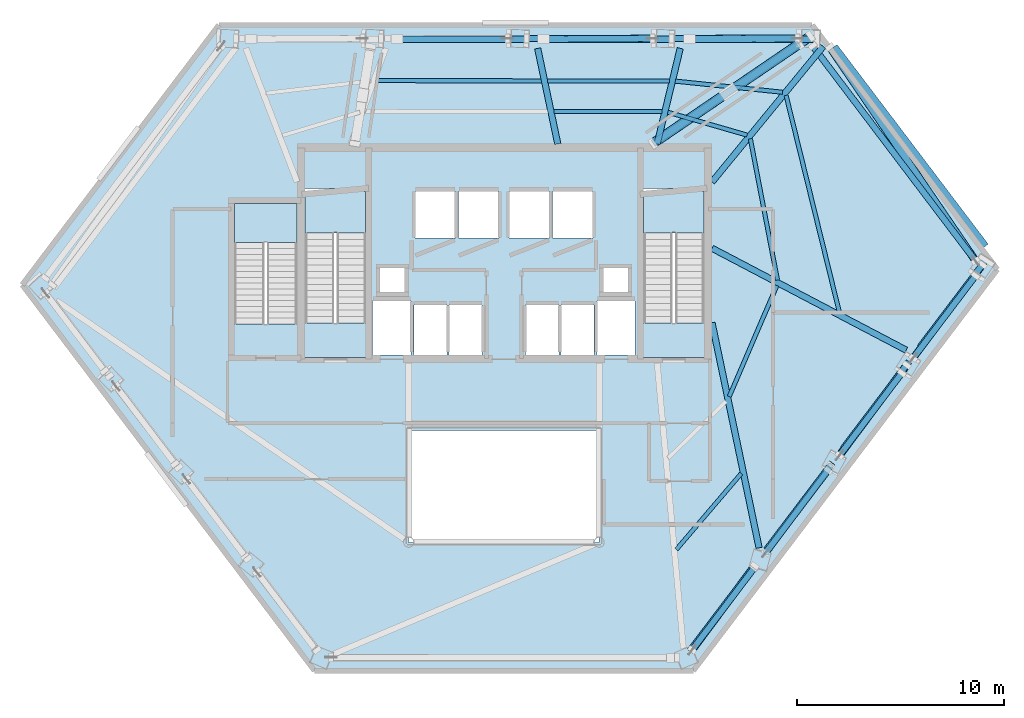
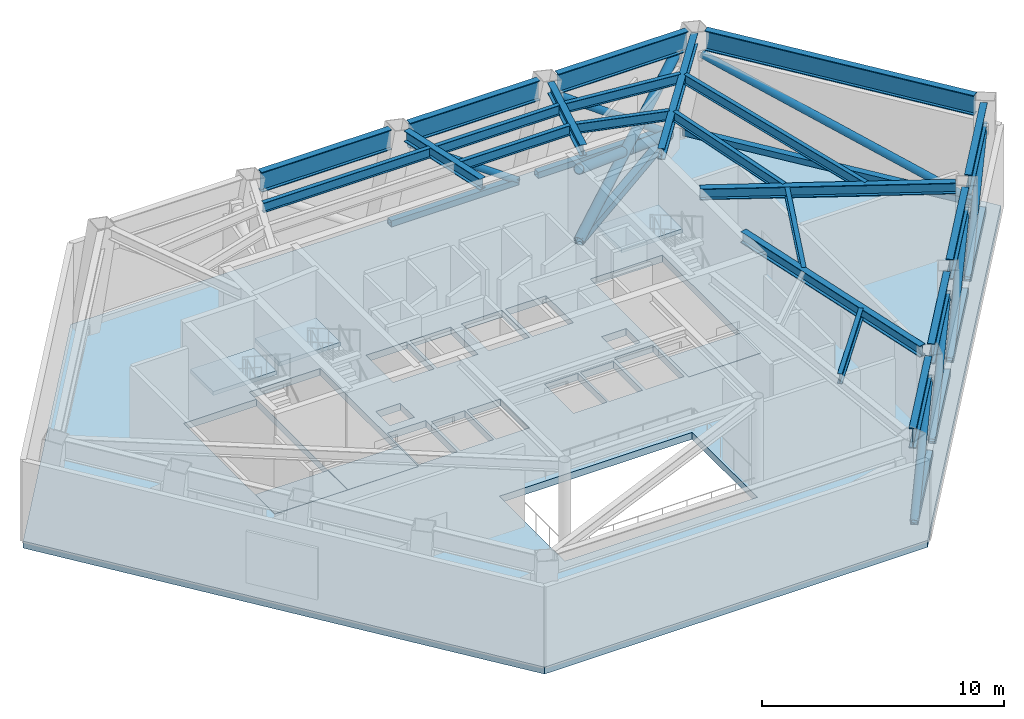
# One storey, part 2 of 9: 22 beams, 18 members, 7 slabs, 3 elements without a shape of their own.
"""IFC4 building model written with IfcOpenShell, lengths in metres."""

import ifcopenshell
import ifcopenshell.guid

model = None  # the IFC model being written
_history = None  # IfcOwnerHistory: only IFC2X3 demands one
_inside = {}  # id of a spatial element -> (the spatial element, [elements in it])
_under = {}  # id of a project, library or spatial element -> (it, [spatial elements below it])
_declared = {}  # id of a project -> (the project, [libraries it declares])
_typed = {}  # id of a type object -> (the type object, [elements of that type])
_made_of = {}  # id of a material, layer set ... -> (it, [elements and type objects made of it])


def new_model(schema):
    """Start an empty IFC model of exactly this schema.

    Asked for "IFC4X3", IfcOpenShell would pick the latest addendum, in which some entities
    have other attributes; the version numbers below select the first issue.
    IFC2X3 requires an IfcOwnerHistory on every rooted entity: one is made here for all.
    """
    global model, _history
    if schema == "IFC4X3":
        model = ifcopenshell.file(schema_version=(4, 3, 0, 0))
    else:
        model = ifcopenshell.file(schema=schema)
    _inside.clear()
    _under.clear()
    _declared.clear()
    _typed.clear()
    _made_of.clear()
    _history = None
    if model.schema == "IFC2X3":
        org = make("IfcOrganization", Name="unknown")
        user = make(
            "IfcPersonAndOrganization",
            ThePerson=make("IfcPerson", FamilyName="unknown"),
            TheOrganization=org,
        )
        app = make(
            "IfcApplication",
            ApplicationDeveloper=org,
            Version="unknown",
            ApplicationFullName="unknown",
            ApplicationIdentifier="unknown",
        )
        _history = make(
            "IfcOwnerHistory",
            OwningUser=user,
            OwningApplication=app,
            ChangeAction="ADDED",
            CreationDate=0,
        )
    return model


def make(cls, **values):
    """One entity of the class cls with the attributes given. An attribute that is None is left unset."""
    return model.create_entity(
        cls, **{name: value for name, value in values.items() if value is not None}
    )


def rooted(cls, **values):
    """An entity with a GlobalId (a new one), such as an element, a storey or a relation."""
    return make(cls, GlobalId=ifcopenshell.guid.new(), OwnerHistory=_history, **values)


def si_unit(unit_type, name, prefix=None):
    """IfcSIUnit, for example si_unit("LENGTHUNIT", "METRE", prefix="MILLI")."""
    return make("IfcSIUnit", UnitType=unit_type, Prefix=prefix, Name=name)


def assignment(units):
    """IfcUnitAssignment: the units of a project."""
    return None if units is None else make("IfcUnitAssignment", Units=units)


def point(xyz):
    """IfcCartesianPoint."""
    return None if xyz is None else make("IfcCartesianPoint", Coordinates=xyz)


def direction(xyz):
    """IfcDirection."""
    return None if xyz is None else make("IfcDirection", DirectionRatios=xyz)


def frame(location, z_axis=None, x_axis=None):
    """IfcAxis2Placement3D, a coordinate frame: its origin and axes. An axis left out is left unset."""
    return make(
        "IfcAxis2Placement3D",
        Location=point(location),
        Axis=direction(z_axis),
        RefDirection=direction(x_axis),
    )


def frame_2d(location, x_axis=None):
    """IfcAxis2Placement2D, a coordinate frame in the plane: its origin and x axis."""
    return make(
        "IfcAxis2Placement2D", Location=point(location), RefDirection=direction(x_axis)
    )


def origin():
    """The frame at (0, 0, 0) with its axes left unset."""
    return frame((0.0, 0.0, 0.0))


def origin_2d():
    """The frame at (0, 0) in the plane with its x axis left unset."""
    return frame_2d((0.0, 0.0))


def place(relative_to, where):
    """IfcLocalPlacement: puts the frame where relative to a parent placement (None: the world)."""
    return make(
        "IfcLocalPlacement", PlacementRelTo=relative_to, RelativePlacement=where
    )


def context(
    kind, dimensions, precision=None, world=None, true_north=None, identifier=None
):
    """IfcGeometricRepresentationContext, for example the 3D "Model" context."""
    return make(
        "IfcGeometricRepresentationContext",
        ContextIdentifier=identifier,
        ContextType=kind,
        CoordinateSpaceDimension=dimensions,
        Precision=precision,
        WorldCoordinateSystem=world,
        TrueNorth=true_north,
    )


def subcontext(parent, identifier, kind, view, scale=None):
    """IfcGeometricRepresentationSubContext, for example "Body" below "Model"."""
    return make(
        "IfcGeometricRepresentationSubContext",
        ContextIdentifier=identifier,
        ContextType=kind,
        ParentContext=parent,
        TargetScale=scale,
        TargetView=view,
    )


def project(units=None, contexts=None):
    """IfcProject with its units and contexts."""
    return rooted(
        "IfcProject",
        Name="project",
        RepresentationContexts=contexts,
        UnitsInContext=assignment(units),
    )


def spatial(cls, under=None, at=None, **own):
    """A site, building, storey or space (cls), placed at a placement, below another one or the project."""
    s = rooted(cls, ObjectPlacement=at, **own)
    if under is not None:
        _under.setdefault(under.id(), (under, []))[1].append(s)
    return s


def polyline(points):
    """IfcPolyline through the points."""
    return make("IfcPolyline", Points=[point(p) for p in points])


def profile(cls, at=None, kind="AREA", **sizes):
    """A parametric profile (cls). Its sizes go by their IFC names, for example OverallWidth=200.0."""
    return make(cls, ProfileType=kind, Position=at, **sizes)


def hollow_rectangle(**sizes):
    """IfcRectangleHollowProfileDef."""
    return profile("IfcRectangleHollowProfileDef", **sizes)


def hollow_circle(**sizes):
    """IfcCircleHollowProfileDef."""
    return profile("IfcCircleHollowProfileDef", **sizes)


def i_section(**sizes):
    """IfcIShapeProfileDef."""
    return profile("IfcIShapeProfileDef", **sizes)


def outline(outer, holes=None, kind="AREA"):
    """IfcArbitraryClosedProfileDef: a profile drawn as a closed curve; with holes, ...WithVoids."""
    if holes is None:
        return make("IfcArbitraryClosedProfileDef", ProfileType=kind, OuterCurve=outer)
    return make(
        "IfcArbitraryProfileDefWithVoids",
        ProfileType=kind,
        OuterCurve=outer,
        InnerCurves=holes,
    )


def extrude(swept, where, along, depth):
    """IfcExtrudedAreaSolid: the profile swept, set in the frame where, extruded along a direction by depth."""
    return make(
        "IfcExtrudedAreaSolid",
        SweptArea=swept,
        Position=where,
        ExtrudedDirection=direction(along),
        Depth=depth,
    )


def shape(context_of_items, identifier, shape_type, items):
    """IfcShapeRepresentation: the items that make up one representation, for example the "Body"."""
    return make(
        "IfcShapeRepresentation",
        ContextOfItems=context_of_items,
        RepresentationIdentifier=identifier,
        RepresentationType=shape_type,
        Items=items,
    )


def material(Name=None, Category=None):
    """IfcMaterial."""
    return make("IfcMaterial", Name=Name, Category=Category)


def layer(
    of_material, thickness, ventilated=None, Name=None, Category=None, Priority=None
):
    """IfcMaterialLayer: one layer of a wall or slab, of a material (None: an air gap)."""
    return make(
        "IfcMaterialLayer",
        Material=of_material,
        LayerThickness=thickness,
        IsVentilated=ventilated,
        Name=Name,
        Category=Category,
        Priority=Priority,
    )


def layer_set(layers, Name=None):
    """IfcMaterialLayerSet."""
    return make("IfcMaterialLayerSet", MaterialLayers=layers, LayerSetName=Name)


def material_profile(
    of_material, cross_section, Name=None, Category=None, Priority=None
):
    """IfcMaterialProfile: a cross section and its material."""
    return make(
        "IfcMaterialProfile",
        Name=Name,
        Material=of_material,
        Profile=cross_section,
        Priority=Priority,
        Category=Category,
    )


def profile_set(profiles, Name=None, composite=None):
    """IfcMaterialProfileSet."""
    return make(
        "IfcMaterialProfileSet",
        Name=Name,
        MaterialProfiles=profiles,
        CompositeProfile=composite,
    )


def made_of(thing, what):
    """Note that an element or type object is made of a material, layer set ...; save() writes the relation."""
    if what is not None:
        _made_of.setdefault(what.id(), (what, []))[1].append(thing)
    return thing


def type_object(cls, material=None, **own):
    """A type object (cls), such as IfcWallType, which elements share."""
    return made_of(rooted(cls, **own), material)


def element(
    cls,
    number,
    at=None,
    inside=None,
    cuts=None,
    type_object=None,
    material=None,
    context=None,
    identifier="Body",
    shape_type=None,
    held_by="IfcProductDefinitionShape",
    body=None,
    shapes=None,
    **own,
):
    """One element of the class cls, such as IfcWall. Its Tag is "e" and its number.

    at: its placement. inside: the storey or other place that contains it. cuts: it is an
    opening in that element (IfcRelVoidsElement). A single representation is given by context,
    identifier, shape_type and body (its items); several are given by shapes. held_by: the class
    of the entity that holds the representations. save() writes the other relations.
    """
    e = rooted(cls, Tag="e%d" % number, ObjectPlacement=at, **own)
    if body is not None:
        shapes = [shape(context, identifier, shape_type, body)]
    if shapes is not None:
        e.Representation = make(held_by, Representations=shapes)
    if inside is not None:
        _inside.setdefault(inside.id(), (inside, []))[1].append(e)
    if cuts is not None:
        rooted(
            "IfcRelVoidsElement", RelatingBuildingElement=cuts, RelatedOpeningElement=e
        )
    if type_object is not None:
        _typed.setdefault(type_object.id(), (type_object, []))[1].append(e)
    return made_of(e, material)


def aggregate(whole, parts):
    """IfcRelAggregates: a whole, such as a stair, and the parts it consists of."""
    return rooted("IfcRelAggregates", RelatingObject=whole, RelatedObjects=parts)


def save(model, path):
    """Write the relations noted so far, then the file.

    IfcRelAggregates (storeys below a building ...), IfcRelContainedInSpatialStructure (elements
    in a storey), IfcRelDefinesByType, IfcRelAssociatesMaterial and IfcRelDeclares: one each for
    every whole, place, type object, material and project.
    """
    for whole, parts in _under.values():
        aggregate(whole, parts)
    for where, things in _inside.values():
        rooted(
            "IfcRelContainedInSpatialStructure",
            RelatedElements=things,
            RelatingStructure=where,
        )
    for kind, things in _typed.values():
        rooted("IfcRelDefinesByType", RelatedObjects=things, RelatingType=kind)
    for what, things in _made_of.values():
        rooted("IfcRelAssociatesMaterial", RelatedObjects=things, RelatingMaterial=what)
    for by, libraries in _declared.values():
        rooted("IfcRelDeclares", RelatingContext=by, RelatedDefinitions=libraries)
    model.write(path)


model = new_model("IFC4")

# Units and contexts
model_context = context("Model", 3, precision=1e-05, world=origin(), true_north=direction((0.0, 1.0)))
body_context = subcontext(model_context, "Body", "Model", "MODEL_VIEW")
ifc_project = project(units=[si_unit("LENGTHUNIT", "METRE"), si_unit("AREAUNIT", "SQUARE_METRE"), si_unit("VOLUMEUNIT", "CUBIC_METRE"), si_unit("PLANEANGLEUNIT", "RADIAN"), si_unit("MASSUNIT", "GRAM", prefix="KILO")], contexts=[model_context])

# Site, building, storey
site_placement = place(None, origin())
site = spatial("IfcSite", under=ifc_project, at=site_placement, CompositionType="ELEMENT")
building_placement = place(site_placement, origin())
building = spatial("IfcBuilding", under=site, at=building_placement, Name="Zarrinselat Tower", CompositionType="ELEMENT")
storey_placement = place(building_placement, frame((0.0, 0.0, 109.139892578125)))
storey = spatial("IfcBuildingStorey", under=building, at=storey_placement, Name="L26", CompositionType="ELEMENT", Elevation=109.139892578125)

# Beams
ifc_material_1 = material(Name="Steel S355J2", Category="steel")
ifc_material_profile_1 = material_profile(ifc_material_1, i_section(OverallWidth=0.300048828125, OverallDepth=0.550048828125, WebThickness=0.014892578125, FlangeThickness=0.029052734375, at=origin_2d()), Name="HEB 550")
ifc_profile_set_1 = profile_set([ifc_material_profile_1], Name="Steel S355J2")
beam_type_1 = type_object("IfcBeamType", Name="BM-HEB550", PredefinedType="BEAM", material=ifc_profile_set_1)
beam_1_placement = place(storey_placement, frame((48.449951171875, 41.800048828125, 4.864990234375), z_axis=(0.634069929477, 0.773275710554, 0.0), x_axis=(-0.773275710554, 0.634069929477, 0.0)))
element("IfcBeam", 1, at=beam_1_placement, inside=storey, type_object=beam_type_1, Name="L26 Radial Primary Girder RG01", PredefinedType="BEAM", context=body_context, shape_type="SweptSolid", body=[
    extrude(i_section(OverallWidth=0.300048828125, OverallDepth=0.550048828125, WebThickness=0.014892578125, FlangeThickness=0.029052734375, at=origin_2d()), origin(), (0.0, 0.0, 1.0), 8.4638671875),
])
beam_2_placement = place(storey_placement, frame((45.800048828125, 43.639892578125, 4.864990234375), z_axis=(0.23450479955, 0.972114961817, 0.0), x_axis=(-0.972114961817, 0.23450479955, 0.0)))
element("IfcBeam", 2, at=beam_2_placement, inside=storey, type_object=beam_type_1, Name="L26 Radial Primary Girder RG02", PredefinedType="BEAM", context=body_context, shape_type="SweptSolid", body=[
    extrude(i_section(OverallWidth=0.300048828125, OverallDepth=0.550048828125, WebThickness=0.014892578125, FlangeThickness=0.029052734375, at=origin_2d()), origin(), (0.0, 0.0, 1.0), 4.747314453125),
])
beam_3_placement = place(storey_placement, frame((40.028564453125, 48.252197265625, 4.864990234375), z_axis=(0.206096623874, -0.978531645696, 0.0), x_axis=(0.978531645696, 0.206096623874, 0.0)))
element("IfcBeam", 3, at=beam_3_placement, inside=storey, type_object=beam_type_1, Name="L26 Radial Primary Girder RG03", PredefinedType="BEAM", context=body_context, shape_type="SweptSolid", body=[
    extrude(i_section(OverallWidth=0.300048828125, OverallDepth=0.550048828125, WebThickness=0.014892578125, FlangeThickness=0.029052734375, at=origin_2d()), origin(), (0.0, 0.0, 1.0), 4.71337890625),
])
beam_4_placement = place(storey_placement, frame((48.449951171875, 35.0, 4.864990234375), z_axis=(0.204624103904, -0.978840628551, 0.0), x_axis=(0.978840628551, 0.204624103904, 0.0)))
element("IfcBeam", 4, at=beam_4_placement, inside=storey, type_object=beam_type_1, Name="L26 Radial Primary Girder RG12", PredefinedType="BEAM", context=body_context, shape_type="SweptSolid", body=[
    extrude(i_section(OverallWidth=0.300048828125, OverallDepth=0.550048828125, WebThickness=0.014892578125, FlangeThickness=0.029052734375, at=origin_2d()), origin(), (0.0, 0.0, 1.0), 11.104248046875),
])
beam_5_placement = place(storey_placement, frame((48.449951171875, 38.60009765625, 4.864990234375), z_axis=(0.885502746289, -0.464634142433, 0.0), x_axis=(0.464634142433, 0.885502746289, 0.0)))
element("IfcBeam", 5, at=beam_5_placement, inside=storey, type_object=beam_type_1, Name="L26 Radial Primary Girder RG14", PredefinedType="BEAM", context=body_context, shape_type="SweptSolid", body=[
    extrude(i_section(OverallWidth=0.300048828125, OverallDepth=0.550048828125, WebThickness=0.014892578125, FlangeThickness=0.029052734375, at=origin_2d()), origin(), (0.0, 0.0, 1.0), 10.587646484375),
])
ifc_material_2 = material(Name="Steel S460M", Category="steel")
ifc_material_profile_2 = material_profile(ifc_material_2, i_section(OverallWidth=0.302001953125, OverallDepth=1.008056640625, WebThickness=0.02099609375, FlangeThickness=0.0400390625, at=origin_2d()), Name="HEM 1000")
ifc_profile_set_2 = profile_set([ifc_material_profile_2], Name="Steel S460M")
beam_type_2 = type_object("IfcBeamType", Name="BM-HEM1000", PredefinedType="BEAM", material=ifc_profile_set_2)
for number, where, z_axis, x_axis, name in (
    (6, (47.457275390625, 48.6943359375, 4.635986328125), (1.0, 0.0, 0.0), (0.0, 1.0, 0.0), "L26 Perimeter Spandrel Girder SP01"),
    (7, (40.373291015625, 48.6943359375, 4.635986328125), (1.0, 0.0, 0.0), (0.0, 1.0, 0.0), "L26 Perimeter Spandrel Girder SP02"),
    (8, (33.289306640625, 48.6943359375, 4.635986328125), (1.0, 0.0, 0.0), (0.0, 1.0, 0.0), "L26 Perimeter Spandrel Girder SP03"),
):
    element("IfcBeam", number, at=place(storey_placement, frame(where, z_axis=z_axis, x_axis=x_axis)), inside=storey, type_object=beam_type_2, Name=name, PredefinedType="BEAM", context=body_context, shape_type="SweptSolid", body=[
        extrude(i_section(OverallWidth=0.302001953125, OverallDepth=1.008056640625, WebThickness=0.02099609375, FlangeThickness=0.0400390625, at=origin_2d()), origin(), (0.0, 0.0, 1.0), 6.2080078125),
    ])
for number, where, z_axis, x_axis, name in (
    (9, (47.373779296875, 19.146240234375, 4.635986328125), (0.603869304524, 0.797083347621, 0.0), (-0.797083347621, 0.603869304524, 0.0), "L26 Perimeter Spandrel Girder SP11"),
    (10, (51.0791015625, 24.037353515625, 4.635986328125), (0.603869304524, 0.797083347621, 0.0), (-0.797083347621, 0.603869304524, 0.0), "L26 Perimeter Spandrel Girder SP12"),
):
    element("IfcBeam", number, at=place(storey_placement, frame(where, z_axis=z_axis, x_axis=x_axis)), inside=storey, type_object=beam_type_2, Name=name, PredefinedType="BEAM", context=body_context, shape_type="SweptSolid", body=[
        extrude(i_section(OverallWidth=0.302001953125, OverallDepth=1.008056640625, WebThickness=0.02099609375, FlangeThickness=0.0400390625, at=origin_2d()), origin(), (0.0, 0.0, 1.0), 5.26025390625),
    ])
for number, where, z_axis, x_axis, name in (
    (11, (54.78466796875, 28.928466796875, 4.635986328125), (0.603846965329, 0.797100271273, 0.0), (-0.797100271273, 0.603846965329, 0.0), "L26 Perimeter Spandrel Girder SP13"),
    (12, (58.489990234375, 33.819580078125, 4.635986328125), (0.603846965329, 0.797100271273, 0.0), (-0.797100271273, 0.603846965329, 0.0), "L26 Perimeter Spandrel Girder SP14"),
):
    element("IfcBeam", number, at=place(storey_placement, frame(where, z_axis=z_axis, x_axis=x_axis)), inside=storey, type_object=beam_type_2, Name=name, PredefinedType="BEAM", context=body_context, shape_type="SweptSolid", body=[
        extrude(i_section(OverallWidth=0.302001953125, OverallDepth=1.008056640625, WebThickness=0.02099609375, FlangeThickness=0.0400390625, at=origin_2d()), origin(), (0.0, 0.0, 1.0), 5.260498046875),
    ])
beam_6_placement = place(storey_placement, frame((54.367919921875, 48.34521484375, 4.635986328125), z_axis=(0.603842132237, -0.79710393258, 0.0), x_axis=(0.79710393258, 0.603842132237, 0.0)))
element("IfcBeam", 13, at=beam_6_placement, inside=storey, type_object=beam_type_2, Name="L26 Perimeter Spandrel Girder SP15", PredefinedType="BEAM", context=body_context, shape_type="SweptSolid", body=[
    extrude(i_section(OverallWidth=0.302001953125, OverallDepth=1.008056640625, WebThickness=0.02099609375, FlangeThickness=0.0400390625, at=origin_2d()), origin(), (0.0, 0.0, 1.0), 12.0869140625),
])
ifc_material_3 = material(Name="Steel S355J2", Category="steel")
ifc_material_profile_3 = material_profile(ifc_material_3, i_section(OverallWidth=0.199951171875, OverallDepth=0.5, WebThickness=0.01025390625, FlangeThickness=0.01611328125, at=origin_2d()), Name="IPE 500")
ifc_profile_set_3 = profile_set([ifc_material_profile_3], Name="Steel S355J2")
beam_type_3 = type_object("IfcBeamType", Name="BM-IPE500", PredefinedType="JOIST", material=ifc_profile_set_3)
beam_7_placement = place(storey_placement, frame((46.727783203125, 24.050048828125, 4.89013671875), z_axis=(0.649076708323, 0.760722963182, 0.0), x_axis=(-0.760722963182, 0.649076708323, 0.0)))
element("IfcBeam", 14, at=beam_7_placement, inside=storey, type_object=beam_type_3, Name="L26 Composite Floor Joist 3-1", PredefinedType="JOIST", context=body_context, shape_type="SweptSolid", body=[
    extrude(i_section(OverallWidth=0.199951171875, OverallDepth=0.5, WebThickness=0.01025390625, FlangeThickness=0.01611328125, at=origin_2d()), origin(), (0.0, 0.0, 1.0), 4.823974609375),
])
beam_8_placement = place(storey_placement, frame((49.27783203125, 31.43310546875, 4.89013671875), z_axis=(0.394655836046, 0.918829021676, 0.0), x_axis=(-0.918829021676, 0.394655836046, 0.0)))
element("IfcBeam", 15, at=beam_8_placement, inside=storey, type_object=beam_type_3, Name="L26 Composite Floor Joist 4-2", PredefinedType="JOIST", context=body_context, shape_type="SweptSolid", body=[
    extrude(i_section(OverallWidth=0.199951171875, OverallDepth=0.5, WebThickness=0.01025390625, FlangeThickness=0.01611328125, at=origin_2d()), origin(), (0.0, 0.0, 1.0), 5.83984375),
])
beam_9_placement = place(storey_placement, frame((52.025390625, 45.983642578125, 4.89013671875), z_axis=(0.23865855187, -0.971103545261, 0.0), x_axis=(0.971103545261, 0.23865855187, 0.0)))
element("IfcBeam", 16, at=beam_9_placement, inside=storey, type_object=beam_type_3, Name="L26 Composite Floor Joist 5-1", PredefinedType="JOIST", context=body_context, shape_type="SweptSolid", body=[
    extrude(i_section(OverallWidth=0.199951171875, OverallDepth=0.5, WebThickness=0.01025390625, FlangeThickness=0.01611328125, at=origin_2d()), origin(), (0.0, 0.0, 1.0), 10.806640625),
])
beam_10_placement = place(storey_placement, frame((50.301025390625, 43.8876953125, 4.89013671875), z_axis=(0.188568461, -0.982060046798, 0.0), x_axis=(0.982060046798, 0.188568461, 0.0)))
element("IfcBeam", 17, at=beam_10_placement, inside=storey, type_object=beam_type_3, Name="L26 Composite Floor Joist 5-2", PredefinedType="JOIST", context=body_context, shape_type="SweptSolid", body=[
    extrude(i_section(OverallWidth=0.199951171875, OverallDepth=0.5, WebThickness=0.01025390625, FlangeThickness=0.01611328125, at=origin_2d()), origin(), (0.0, 0.0, 1.0), 6.947509765625),
])
beam_11_placement = place(storey_placement, frame((46.674072265625, 46.67138671875, 4.89013671875), z_axis=(0.994659804604, -0.103207912028, 0.0), x_axis=(0.103207912028, 0.994659804604, 0.0)))
element("IfcBeam", 18, at=beam_11_placement, inside=storey, type_object=beam_type_3, Name="L26 Composite Floor Joist 6-1", PredefinedType="JOIST", context=body_context, shape_type="SweptSolid", body=[
    extrude(i_section(OverallWidth=0.199951171875, OverallDepth=0.5, WebThickness=0.01025390625, FlangeThickness=0.01611328125, at=origin_2d()), origin(), (0.0, 0.0, 1.0), 5.20654296875),
])
beam_12_placement = place(storey_placement, frame((46.31298828125, 45.170166015625, 4.89013671875), z_axis=(0.960691665964, -0.277617584002, 0.0), x_axis=(0.277617584002, 0.960691665964, 0.0)))
element("IfcBeam", 19, at=beam_12_placement, inside=storey, type_object=beam_type_3, Name="L26 Composite Floor Joist 6-2", PredefinedType="JOIST", context=body_context, shape_type="SweptSolid", body=[
    extrude(i_section(OverallWidth=0.199951171875, OverallDepth=0.5, WebThickness=0.01025390625, FlangeThickness=0.01611328125, at=origin_2d()), origin(), (0.0, 0.0, 1.0), 3.983642578125),
])
beam_13_placement = place(storey_placement, frame((40.498779296875, 46.68408203125, 4.89013671875), z_axis=(0.999999957992, 0.00028985506, 0.0), x_axis=(-0.00028985506, 0.999999957992, 0.0)))
element("IfcBeam", 20, at=beam_13_placement, inside=storey, type_object=beam_type_3, Name="L26 Composite Floor Joist 7-1", PredefinedType="JOIST", context=body_context, shape_type="SweptSolid", body=[
    extrude(i_section(OverallWidth=0.199951171875, OverallDepth=0.5, WebThickness=0.01025390625, FlangeThickness=0.01611328125, at=origin_2d()), origin(), (0.0, 0.0, 1.0), 5.89599609375),
])
beam_14_placement = place(storey_placement, frame((40.809814453125, 45.2080078125, 4.89013671875), z_axis=(0.999999982559, 0.000186767518, 0.0), x_axis=(-0.000186767518, 0.999999982559, 0.0)))
element("IfcBeam", 21, at=beam_14_placement, inside=storey, type_object=beam_type_3, Name="L26 Composite Floor Joist 7-2", PredefinedType="JOIST", context=body_context, shape_type="SweptSolid", body=[
    extrude(i_section(OverallWidth=0.199951171875, OverallDepth=0.5, WebThickness=0.01025390625, FlangeThickness=0.01611328125, at=origin_2d()), origin(), (0.0, 0.0, 1.0), 5.228759765625),
])
beam_15_placement = place(storey_placement, frame((32.25927734375, 46.695556640625, 4.89013671875), z_axis=(0.999998960854, -0.00144162785, 0.0), x_axis=(0.00144162785, 0.999998960854, 0.0)))
element("IfcBeam", 22, at=beam_15_placement, inside=storey, type_object=beam_type_3, Name="L26 Composite Floor Joist 8-1", PredefinedType="JOIST", context=body_context, shape_type="SweptSolid", body=[
    extrude(i_section(OverallWidth=0.199951171875, OverallDepth=0.5, WebThickness=0.01025390625, FlangeThickness=0.01611328125, at=origin_2d()), origin(), (0.0, 0.0, 1.0), 7.95947265625),
])

# Members
ifc_material_4 = material(Name="Steel S355J2", Category="steel")
ifc_material_profile_4 = material_profile(ifc_material_4, hollow_circle(Radius=0.177734375, WallThickness=0.01416015625, at=origin_2d()), Name="CHS 355.6x14.2")
ifc_profile_set_4 = profile_set([ifc_material_profile_4], Name="Steel S355J2")
member_type_1 = type_object("IfcMemberType", Name="MEM-BELT-BR1", PredefinedType="BRACE", material=ifc_profile_set_4)
member_1_placement = place(storey_placement, frame((52.578125, 48.730712890625, 0.35009765625), z_axis=(-0.812761268168, -0.004425055327, 0.582580071623), x_axis=(0.00544439052, -0.999985179196, 0.0)))
element("IfcMember", 23, at=member_1_placement, inside=storey, type_object=member_type_1, Name="L26 Perimeter Belt Truss Diagonal 1", PredefinedType="BRACE", context=body_context, shape_type="SweptSolid", body=[
    extrude(hollow_circle(Radius=0.177734375, WallThickness=0.01416015625, at=origin_2d()), origin(), (0.0, 0.0, 1.0), 6.234375),
])
member_2_placement = place(storey_placement, frame((47.491943359375, 19.2080078125, 0.35009765625), z_axis=(0.484783073312, 0.651373307149, 0.583693572488), x_axis=(-0.802209539948, 0.597042589784, 0.0)))
element("IfcMember", 24, at=member_2_placement, inside=storey, type_object=member_type_1, Name="L26 Perimeter Belt Truss Diagonal 11", PredefinedType="BRACE", context=body_context, shape_type="SweptSolid", body=[
    extrude(hollow_circle(Radius=0.177734375, WallThickness=0.01416015625, at=origin_2d()), origin(), (0.0, 0.0, 1.0), 6.22265625),
])
member_3_placement = place(storey_placement, frame((54.60986328125, 28.603515625, 0.35009765625), z_axis=(0.496337086885, 0.666173048993, 0.556653361597), x_axis=(-0.801898482898, 0.597460310921, 0.0)))
element("IfcMember", 25, at=member_3_placement, inside=storey, type_object=member_type_1, Name="L26 Perimeter Belt Truss Diagonal 13", PredefinedType="BRACE", context=body_context, shape_type="SweptSolid", body=[
    extrude(hollow_circle(Radius=0.177734375, WallThickness=0.01416015625, at=origin_2d()), origin(), (0.0, 0.0, 1.0), 6.52490234375),
])
member_4_placement = place(storey_placement, frame((61.169921875, 37.999267578125, 0.35009765625), z_axis=(-0.540690146453, 0.793454243612, 0.279436090766), x_axis=(-0.826373412027, -0.56312253009, 0.0)))
element("IfcMember", 26, at=member_4_placement, inside=storey, type_object=member_type_1, Name="L26 Perimeter Belt Truss Diagonal 15", PredefinedType="BRACE", context=body_context, shape_type="SweptSolid", body=[
    extrude(hollow_circle(Radius=0.177734375, WallThickness=0.01416015625, at=origin_2d()), origin(), (0.0, 0.0, 1.0), 12.997802734375),
])
ifc_material_5 = material(Name="Steel S355J2", Category="steel")
ifc_material_profile_5 = material_profile(ifc_material_5, hollow_circle(Radius=0.161865234375, WallThickness=0.012451171875, at=origin_2d()), Name="CHS 323.9x12.5")
ifc_profile_set_5 = profile_set([ifc_material_profile_5], Name="Steel S355J2")
member_type_2 = type_object("IfcMemberType", Name="MEM-BELT-BR2", PredefinedType="BRACE", material=ifc_profile_set_5)
member_5_placement = place(storey_placement, frame((45.5712890625, 48.730712890625, 0.35009765625), z_axis=(-0.815902027164, -0.004391584694, 0.578173499958), x_axis=(0.005382412268, -0.999985514714, 0.0)))
element("IfcMember", 27, at=member_5_placement, inside=storey, type_object=member_type_2, Name="L26 Perimeter Belt Truss Diagonal 2", PredefinedType="BRACE", context=body_context, shape_type="SweptSolid", body=[
    extrude(hollow_circle(Radius=0.161865234375, WallThickness=0.012451171875, at=origin_2d()), origin(), (0.0, 0.0, 1.0), 6.281982421875),
])
member_6_placement = place(storey_placement, frame((51.051025390625, 23.90576171875, 0.35009765625), z_axis=(0.490778054369, 0.659031681313, 0.569924683073), x_axis=(-0.802037408143, 0.597273803158, 0.0)))
element("IfcMember", 28, at=member_6_placement, inside=storey, type_object=member_type_2, Name="L26 Perimeter Belt Truss Diagonal 12", PredefinedType="BRACE", context=body_context, shape_type="SweptSolid", body=[
    extrude(hollow_circle(Radius=0.161865234375, WallThickness=0.012451171875, at=origin_2d()), origin(), (0.0, 0.0, 1.0), 6.372802734375),
])
member_7_placement = place(storey_placement, frame((58.168701171875, 33.301513671875, 0.35009765625), z_axis=(0.501601815069, 0.672762787167, 0.543861978193), x_axis=(-0.801695762221, 0.597732301985, 0.0)))
element("IfcMember", 29, at=member_7_placement, inside=storey, type_object=member_type_2, Name="L26 Perimeter Belt Truss Diagonal 14", PredefinedType="BRACE", context=body_context, shape_type="SweptSolid", body=[
    extrude(hollow_circle(Radius=0.161865234375, WallThickness=0.012451171875, at=origin_2d()), origin(), (0.0, 0.0, 1.0), 6.67822265625),
])
ifc_material_6 = material(Name="Steel S460M", Category="steel")
ifc_material_profile_6 = material_profile(ifc_material_6, hollow_rectangle(XDim=0.300048828125, YDim=0.300048828125, WallThickness=0.01611328125, at=origin_2d()), Name="SHS 300x300x16")
ifc_profile_set_6 = profile_set([ifc_material_profile_6], Name="Steel S460M")
member_type_3 = type_object("IfcMemberType", Name="MEM-BELT-CHORD", PredefinedType="CHORD", material=ifc_profile_set_6)
member_8_placement = place(storey_placement, frame((52.578125, 48.730712890625, 0.35009765625), z_axis=(-1.0, 0.0, 0.0), x_axis=(0.0, -1.0, 0.0)))
element("IfcMember", 30, at=member_8_placement, inside=storey, type_object=member_type_3, Name="L26 Perimeter Belt Truss Chord 1", PredefinedType="CHORD", context=body_context, shape_type="SweptSolid", body=[
    extrude(hollow_rectangle(XDim=0.300048828125, YDim=0.300048828125, WallThickness=0.01611328125, at=origin_2d()), origin(), (0.0, 0.0, 1.0), 6.082763671875),
])
member_9_placement = place(storey_placement, frame((45.5712890625, 48.730712890625, 0.35009765625), z_axis=(-1.0, 0.0, 0.0), x_axis=(0.0, -1.0, 0.0)))
element("IfcMember", 31, at=member_9_placement, inside=storey, type_object=member_type_3, Name="L26 Perimeter Belt Truss Chord 2", PredefinedType="CHORD", context=body_context, shape_type="SweptSolid", body=[
    extrude(hollow_rectangle(XDim=0.300048828125, YDim=0.300048828125, WallThickness=0.01611328125, at=origin_2d()), origin(), (0.0, 0.0, 1.0), 6.08251953125),
])
member_10_placement = place(storey_placement, frame((47.491943359375, 19.2080078125, 0.35009765625), z_axis=(0.603868092303, 0.797084265996, 0.0), x_axis=(-0.797084265996, 0.603868092303, 0.0)))
element("IfcMember", 32, at=member_10_placement, inside=storey, type_object=member_type_3, Name="L26 Perimeter Belt Truss Chord 11", PredefinedType="CHORD", context=body_context, shape_type="SweptSolid", body=[
    extrude(hollow_rectangle(XDim=0.300048828125, YDim=0.300048828125, WallThickness=0.01611328125, at=origin_2d()), origin(), (0.0, 0.0, 1.0), 4.969482421875),
])
for number, where, z_axis, x_axis, name in (
    (33, (51.051025390625, 23.90576171875, 0.35009765625), (0.603844446519, 0.797102179403, 0.0), (-0.797102179403, 0.603844446519, 0.0), "L26 Perimeter Belt Truss Chord 12"),
    (34, (54.60986328125, 28.603515625, 0.35009765625), (0.603844446519, 0.797102179403, 0.0), (-0.797102179403, 0.603844446519, 0.0), "L26 Perimeter Belt Truss Chord 13"),
    (35, (58.168701171875, 33.301513671875, 0.35009765625), (0.603899303375, 0.797060619642, 0.0), (-0.797060619642, 0.603899303375, 0.0), "L26 Perimeter Belt Truss Chord 14"),
):
    element("IfcMember", number, at=place(storey_placement, frame(where, z_axis=z_axis, x_axis=x_axis)), inside=storey, type_object=member_type_3, Name=name, PredefinedType="CHORD", context=body_context, shape_type="SweptSolid", body=[
        extrude(hollow_rectangle(XDim=0.300048828125, YDim=0.300048828125, WallThickness=0.01611328125, at=origin_2d()), origin(), (0.0, 0.0, 1.0), 4.9697265625),
    ])
member_11_placement = place(storey_placement, frame((61.169921875, 37.999267578125, 0.35009765625), z_axis=(-0.60385985727, 0.797090504759, 0.0), x_axis=(-0.797090504759, -0.60385985727, 0.0)))
element("IfcMember", 36, at=member_11_placement, inside=storey, type_object=member_type_3, Name="L26 Perimeter Belt Truss Chord 15", PredefinedType="CHORD", context=body_context, shape_type="SweptSolid", body=[
    extrude(hollow_rectangle(XDim=0.300048828125, YDim=0.300048828125, WallThickness=0.01611328125, at=origin_2d()), origin(), (0.0, 0.0, 1.0), 13.0009765625),
])
ifc_material_7 = material(Name="Steel S460M", Category="steel")
ifc_material_profile_7 = material_profile(ifc_material_7, hollow_circle(Radius=0.228515625, WallThickness=0.01611328125, at=origin_2d()), Name="CHS 457x16")
ifc_profile_set_7 = profile_set([ifc_material_profile_7], Name="Steel S460M")
member_type_4 = type_object("IfcMemberType", Name="MEM-OUTRIGGER-BR1", PredefinedType="BRACE", material=ifc_profile_set_7)
member_12_placement = place(storey_placement, frame((45.60009765625, 43.662109375, 0.35009765625), z_axis=(0.768605551264, 0.523619170912, 0.367516626045), x_axis=(-0.563021104312, 0.826442518327, 0.0)))
element("IfcMember", 37, at=member_12_placement, inside=storey, type_object=member_type_4, Name="L26 Outrigger Truss Primary Diagonal NE1", PredefinedType="BRACE", context=body_context, shape_type="SweptSolid", body=[
    extrude(hollow_circle(Radius=0.228515625, WallThickness=0.01611328125, at=origin_2d()), origin(), (0.0, 0.0, 1.0), 9.8828125),
])
member_13_placement = place(storey_placement, frame((52.658203125, 48.470458984375, 0.35009765625), z_axis=(-0.760522512184, -0.518127018093, 0.391343712845), x_axis=(0.563031856821, -0.826435192986, 0.0)))
element("IfcMember", 38, at=member_13_placement, inside=storey, type_object=member_type_4, Name="L26 Outrigger Truss Split Diagonal NE2A", PredefinedType="BRACE", context=body_context, shape_type="SweptSolid", body=[
    extrude(hollow_circle(Radius=0.228515625, WallThickness=0.01611328125, at=origin_2d()), origin(), (0.0, 0.0, 1.0), 4.130615234375),
])
member_14_placement = place(storey_placement, frame((49.00048828125, 45.978759765625, 2.232421875), z_axis=(-0.760518342651, -0.518133152888, 0.391343693408), x_axis=(0.563038518246, -0.826430654666, 0.0)))
element("IfcMember", 39, at=member_14_placement, inside=storey, type_object=member_type_4, Name="L26 Outrigger Truss Split Diagonal NE2B", PredefinedType="BRACE", context=body_context, shape_type="SweptSolid", body=[
    extrude(hollow_circle(Radius=0.228515625, WallThickness=0.01611328125, at=origin_2d()), origin(), (0.0, 0.0, 1.0), 4.47119140625),
])
ifc_material_8 = material(Name="Steel S460M", Category="steel")
ifc_material_profile_8 = material_profile(ifc_material_8, hollow_rectangle(XDim=0.35009765625, YDim=0.35009765625, WallThickness=0.01611328125, at=origin_2d()), Name="SHS 350x350x16")
ifc_profile_set_8 = profile_set([ifc_material_profile_8], Name="Steel S460M")
member_type_5 = type_object("IfcMemberType", Name="MEM-OUTRIGGER-CHORD", PredefinedType="CHORD", material=ifc_profile_set_8)
member_15_placement = place(storey_placement, frame((45.60009765625, 43.662109375, 0.35009765625), z_axis=(0.826445008651, 0.56301744882, 0.0), x_axis=(-0.56301744882, 0.826445008651, 0.0)))
element("IfcMember", 40, at=member_15_placement, inside=storey, type_object=member_type_5, Name="L26 Outrigger Truss Bottom Chord NE", PredefinedType="CHORD", context=body_context, shape_type="SweptSolid", body=[
    extrude(hollow_rectangle(XDim=0.35009765625, YDim=0.35009765625, WallThickness=0.01611328125, at=origin_2d()), origin(), (0.0, 0.0, 1.0), 8.540283203125),
])

# Slabs
ifc_material_9 = material(Name="Concrete C50/60", Category="concrete")
ifc_layer_1 = layer(ifc_material_9, 0.35009765625)
ifc_layer_set_1 = layer_set([ifc_layer_1], Name="Concrete C50/60")
slab_type_1 = type_object("IfcSlabType", Name="SLB-FLOOR-350-SL-TR350", PredefinedType="FLOOR", material=ifc_layer_set_1)
slab_1_placement = place(storey_placement, frame((0.0, 0.0, -0.349853515625)))
element("IfcSlab", 41, at=slab_1_placement, inside=storey, type_object=slab_type_1, Name="L26 Primary Structural Slab", PredefinedType="FLOOR", context=body_context, shape_type="SweptSolid", body=[
    extrude(outline(polyline([(53.285400390625, 49.38330078125), (24.635498046875, 49.38330078125), (15.13134765625, 36.837890625), (29.25634765625, 18.19287109375), (47.543701171875, 18.19287109375), (62.22900390625, 37.57763671875), (53.285400390625, 49.38330078125)]), holes=[polyline([(34.050048828125, 33.449951171875), (34.050048828125, 35.85009765625), (35.64990234375, 35.85009765625), (35.64990234375, 33.449951171875), (34.050048828125, 33.449951171875)]), polyline([(35.75, 33.449951171875), (35.75, 35.85009765625), (37.35009765625, 35.85009765625), (37.35009765625, 33.449951171875), (35.75, 33.449951171875)]), polyline([(32.06005859375, 33.449951171875), (32.06005859375, 36.050048828125), (33.89990234375, 36.050048828125), (33.89990234375, 33.449951171875), (32.06005859375, 33.449951171875)]), polyline([(32.419921875, 36.47998046875), (32.419921875, 37.639892578125), (33.60009765625, 37.639892578125), (33.60009765625, 36.47998046875), (32.419921875, 36.47998046875)]), polyline([(28.594970703125, 33.324951171875), (25.114990234375, 33.324951171875), (25.114990234375, 40.875), (28.594970703125, 40.875), (28.594970703125, 33.324951171875)]), polyline([(31.985107421875, 33.324951171875), (28.60498046875, 33.324951171875), (28.60498046875, 41.47509765625), (31.985107421875, 41.47509765625), (31.985107421875, 33.324951171875)]), polyline([(34.10009765625, 39.10009765625), (34.10009765625, 41.35009765625), (36.050048828125, 41.35009765625), (36.050048828125, 39.10009765625), (34.10009765625, 39.10009765625)]), polyline([(36.199951171875, 39.10009765625), (36.199951171875, 41.35009765625), (38.14990234375, 41.35009765625), (38.14990234375, 39.10009765625), (36.199951171875, 39.10009765625)]), polyline([(33.800048828125, 24.39990234375), (33.800048828125, 29.800048828125), (43.0, 29.800048828125), (43.0, 24.39990234375), (33.800048828125, 24.39990234375)]), polyline([(39.449951171875, 33.449951171875), (39.449951171875, 35.85009765625), (41.050048828125, 35.85009765625), (41.050048828125, 33.449951171875), (39.449951171875, 33.449951171875)]), polyline([(41.14990234375, 33.449951171875), (41.14990234375, 35.85009765625), (42.75, 35.85009765625), (42.75, 33.449951171875), (41.14990234375, 33.449951171875)]), polyline([(42.89990234375, 33.449951171875), (42.89990234375, 36.050048828125), (44.739990234375, 36.050048828125), (44.739990234375, 33.449951171875), (42.89990234375, 33.449951171875)]), polyline([(43.199951171875, 36.47998046875), (43.199951171875, 37.639892578125), (44.3798828125, 37.639892578125), (44.3798828125, 36.47998046875), (43.199951171875, 36.47998046875)]), polyline([(48.324951171875, 33.324951171875), (44.875, 33.324951171875), (44.875, 41.47509765625), (48.324951171875, 41.47509765625), (48.324951171875, 33.324951171875)]), polyline([(38.64990234375, 39.10009765625), (38.64990234375, 41.35009765625), (40.60009765625, 41.35009765625), (40.60009765625, 39.10009765625), (38.64990234375, 39.10009765625)]), polyline([(40.75, 39.10009765625), (40.75, 41.35009765625), (42.699951171875, 41.35009765625), (42.699951171875, 39.10009765625), (40.75, 39.10009765625)])]), origin(), (0.0, 0.0, 1.0), 0.349853515625),
])
slab_2_placement = place(storey_placement, frame((0.0, 0.0, -0.349853515625)))
element("IfcSlab", 42, at=slab_2_placement, inside=storey, type_object=slab_type_1, Name="L26 Stair ST-1-FL1 Structural Floor Landing", PredefinedType="FLOOR", context=body_context, shape_type="SweptSolid", body=[
    extrude(outline(polyline([(31.97998046875, 33.330078125), (31.97998046875, 35.0), (28.610107421875, 35.0), (28.610107421875, 33.330078125), (31.97998046875, 33.330078125)])), origin(), (0.0, 0.0, 1.0), 0.349853515625),
])
slab_3_placement = place(storey_placement, frame((0.0, 0.0, -0.349853515625)))
element("IfcSlab", 43, at=slab_3_placement, inside=storey, type_object=slab_type_1, Name="L26 Stair ST-2-FL1 Structural Floor Landing", PredefinedType="FLOOR", context=body_context, shape_type="SweptSolid", body=[
    extrude(outline(polyline([(48.320068359375, 33.330078125), (48.320068359375, 35.0), (44.8798828125, 35.0), (44.8798828125, 33.330078125), (48.320068359375, 33.330078125)])), origin(), (0.0, 0.0, 1.0), 0.349853515625),
])
slab_4_placement = place(storey_placement, frame((0.0, 0.0, -0.349853515625)))
element("IfcSlab", 44, at=slab_4_placement, inside=storey, type_object=slab_type_1, Name="L26 Stair ST-3-FL1 Structural Floor Landing", PredefinedType="FLOOR", context=body_context, shape_type="SweptSolid", body=[
    extrude(outline(polyline([(28.590087890625, 33.330078125), (28.590087890625, 34.949951171875), (25.1201171875, 34.949951171875), (25.1201171875, 33.330078125), (28.590087890625, 33.330078125)])), origin(), (0.0, 0.0, 1.0), 0.349853515625),
])

# Stair, slab
ifc_material_10 = material(Name="Concrete C40/50", Category="concrete")
stair_type_1 = type_object("IfcStairType", Name="STR-CORE-145", PredefinedType="HALF_TURN_STAIR", material=ifc_material_10)
stair_1_placement = place(storey_placement, origin())
stair_1 = element("IfcStair", 45, at=stair_1_placement, inside=storey, type_object=stair_type_1, Name="L26 Podium & Mid-Tower Exit Stair 3", PredefinedType="HALF_TURN_STAIR")
ifc_material_11 = material(Name="Concrete C40/50", Category="concrete")
ifc_layer_2 = layer(ifc_material_11, 0.1650390625)
ifc_layer_set_2 = layer_set([ifc_layer_2], Name="Concrete C40/50")
slab_type_2 = type_object("IfcSlabType", Name="SLB-LND-165", PredefinedType="LANDING", material=ifc_layer_set_2)
slab_5_placement = place(storey_placement, frame((0.0, 0.0, 2.52001953125)))
slab_5 = element("IfcSlab", 46, at=slab_5_placement, type_object=slab_type_2, Name="ST-3 landing 1", PredefinedType="LANDING", context=body_context, shape_type="SweptSolid", body=[
    extrude(outline(polyline([(28.39990234375, 38.8701171875), (28.39990234375, 40.75), (25.3798828125, 40.75), (25.3798828125, 38.8701171875), (28.39990234375, 38.8701171875)])), origin(), (0.0, 0.0, 1.0), 0.2001953125),
])
aggregate(stair_1, [slab_5])

ifc_material_12 = material(Name="Concrete C40/50", Category="concrete")
stair_type_2 = type_object("IfcStairType", Name="STR-CORE-155", PredefinedType="HALF_TURN_STAIR", material=ifc_material_12)
stair_2_placement = place(storey_placement, origin())
stair_2 = element("IfcStair", 47, at=stair_2_placement, inside=storey, type_object=stair_type_2, Name="L26 Core Exit Stair 1", PredefinedType="HALF_TURN_STAIR")
ifc_material_13 = material(Name="Concrete C40/50", Category="concrete")
ifc_layer_3 = layer(ifc_material_13, 0.18994140625)
ifc_layer_set_3 = layer_set([ifc_layer_3], Name="Concrete C40/50")
slab_type_3 = type_object("IfcSlabType", Name="SLB-LND-190", PredefinedType="LANDING", material=ifc_layer_set_3)
slab_6_placement = place(storey_placement, frame((0.0, 0.0, 2.52001953125)))
slab_6 = element("IfcSlab", 48, at=slab_6_placement, type_object=slab_type_3, Name="ST-1 landing 1", PredefinedType="LANDING", context=body_context, shape_type="SweptSolid", body=[
    extrude(outline(polyline([(31.719970703125, 39.340087890625), (31.719970703125, 41.35009765625), (28.800048828125, 41.35009765625), (28.800048828125, 39.340087890625), (31.719970703125, 39.340087890625)])), origin(), (0.0, 0.0, 1.0), 0.2001953125),
])
aggregate(stair_2, [slab_6])

stair_3_placement = place(storey_placement, origin())
stair_3 = element("IfcStair", 49, at=stair_3_placement, inside=storey, type_object=stair_type_2, Name="L26 Core Exit Stair 2", PredefinedType="HALF_TURN_STAIR")
slab_7_placement = place(storey_placement, frame((0.0, 0.0, 2.52001953125)))
slab_7 = element("IfcSlab", 50, at=slab_7_placement, type_object=slab_type_3, Name="ST-2 landing 1", PredefinedType="LANDING", context=body_context, shape_type="SweptSolid", body=[
    extrude(outline(polyline([(48.06005859375, 39.340087890625), (48.06005859375, 41.35009765625), (45.139892578125, 41.35009765625), (45.139892578125, 39.340087890625), (48.06005859375, 39.340087890625)])), origin(), (0.0, 0.0, 1.0), 0.2001953125),
])
aggregate(stair_3, [slab_7])

save(model, "model.ifc")
